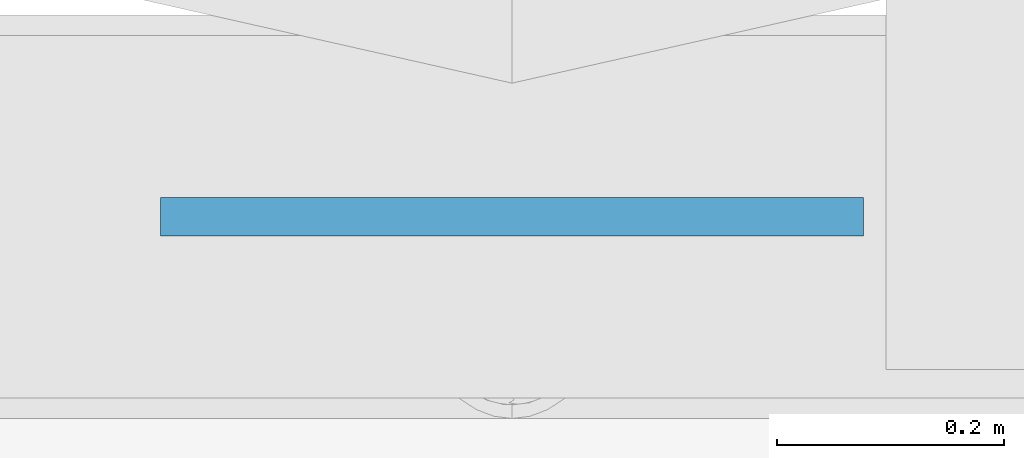
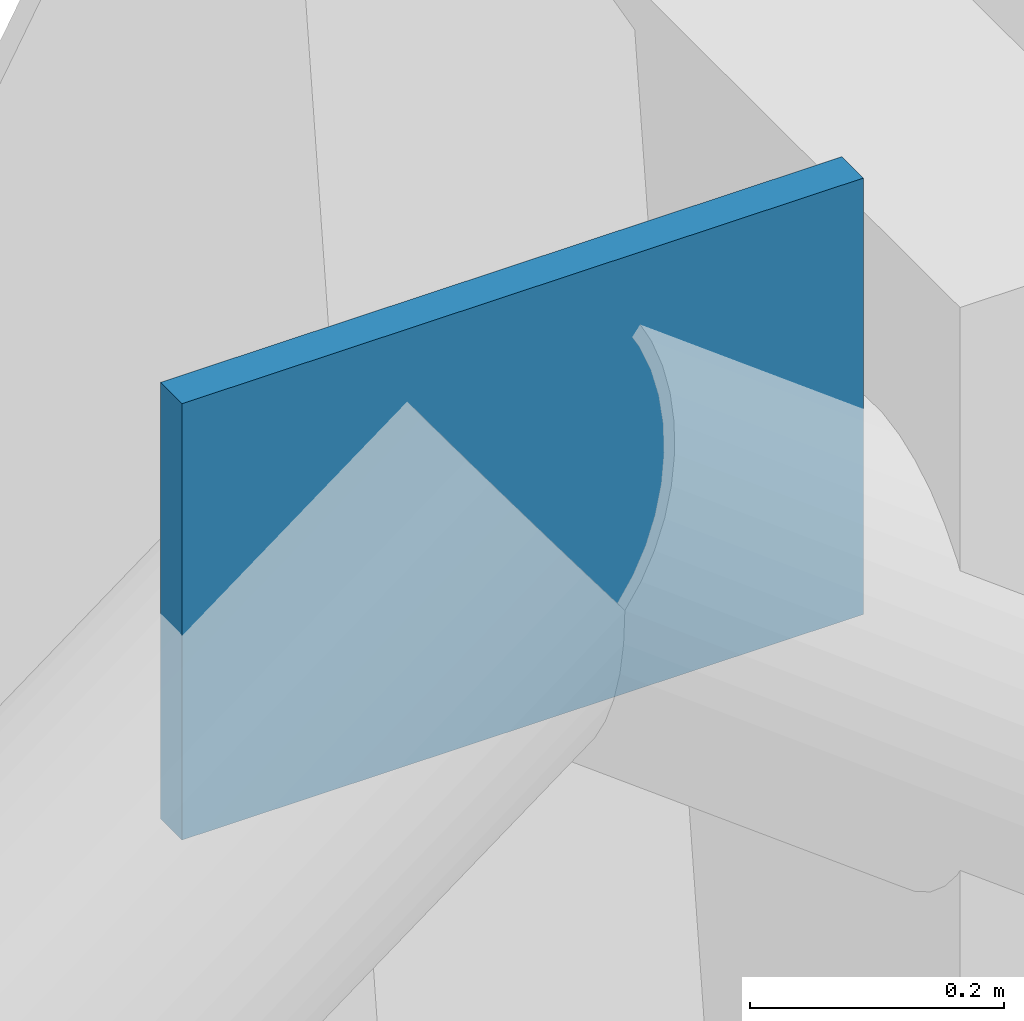
# One storey, part 38 of 76: 1 plate.
"""IFC4 building model written with IfcOpenShell, lengths in metres."""

from ifc_helpers import new_model, si_unit, derived_unit, direction, frame, origin, origin_2d, place, context, subcontext, project, spatial, rectangle, extrude, material, layer, layer_set, type_object, element, save


model = new_model("IFC4")

# Units and contexts
model_context = context("Model", 3, precision=1e-05, world=origin(), true_north=direction((0.0, 1.0)))
body_context = subcontext(model_context, "Body", "Model", "MODEL_VIEW")
ifc_project = project(units=[si_unit("LENGTHUNIT", "METRE"), si_unit("AREAUNIT", "SQUARE_METRE"), si_unit("VOLUMEUNIT", "CUBIC_METRE"), si_unit("PLANEANGLEUNIT", "RADIAN"), si_unit("MASSUNIT", "GRAM", prefix="KILO"), si_unit("THERMODYNAMICTEMPERATUREUNIT", "KELVIN"), derived_unit("THERMALTRANSMITTANCEUNIT", [(si_unit("POWERUNIT", "WATT"), 1), (si_unit("AREAUNIT", "SQUARE_METRE"), -1), (si_unit("THERMODYNAMICTEMPERATUREUNIT", "KELVIN"), -1)])], contexts=[model_context])

# Site, building, storey
site_placement = place(None, origin())
site = spatial("IfcSite", under=ifc_project, at=site_placement, CompositionType="ELEMENT")
building_placement = place(site_placement, origin())
building = spatial("IfcBuilding", under=site, at=building_placement, Name="Haiyu Intermodal Mobility Hub", CompositionType="ELEMENT")
storey_placement = place(building_placement, frame((0.0, 0.0, 17.300048828125)))
storey = spatial("IfcBuildingStorey", under=building, at=storey_placement, Name="L04", CompositionType="ELEMENT", Elevation=17.300048828125)

# Plate
ifc_material = material(Name="Steel Q355C", Category="steel")
ifc_layer = layer(ifc_material, 0.033935546875)
ifc_layer_set = layer_set([ifc_layer], Name="Steel Q355C")
plate_type = type_object("IfcPlateType", Name="PLT-GP04", PredefinedType="USERDEFINED", material=ifc_layer_set)
plate_placement = place(storey_placement, frame((142.0, 148.0, 2.7900390625), z_axis=(0.0, 0.0, 1.0), x_axis=(1.0, 0.0, 0.0)))
element("IfcPlate", 1, at=plate_placement, inside=storey, type_object=plate_type, Name="Chevron Brace Apex Gusset GP-B094", ObjectType="GUSSET PLATE", PredefinedType="USERDEFINED", context=body_context, shape_type="SweptSolid", body=[
    extrude(rectangle(XDim=0.6201171875, YDim=0.033935546875, at=origin_2d()), origin(), (0.0, 0.0, 1.0), 0.419921875),
])

save(model, "model.ifc")
